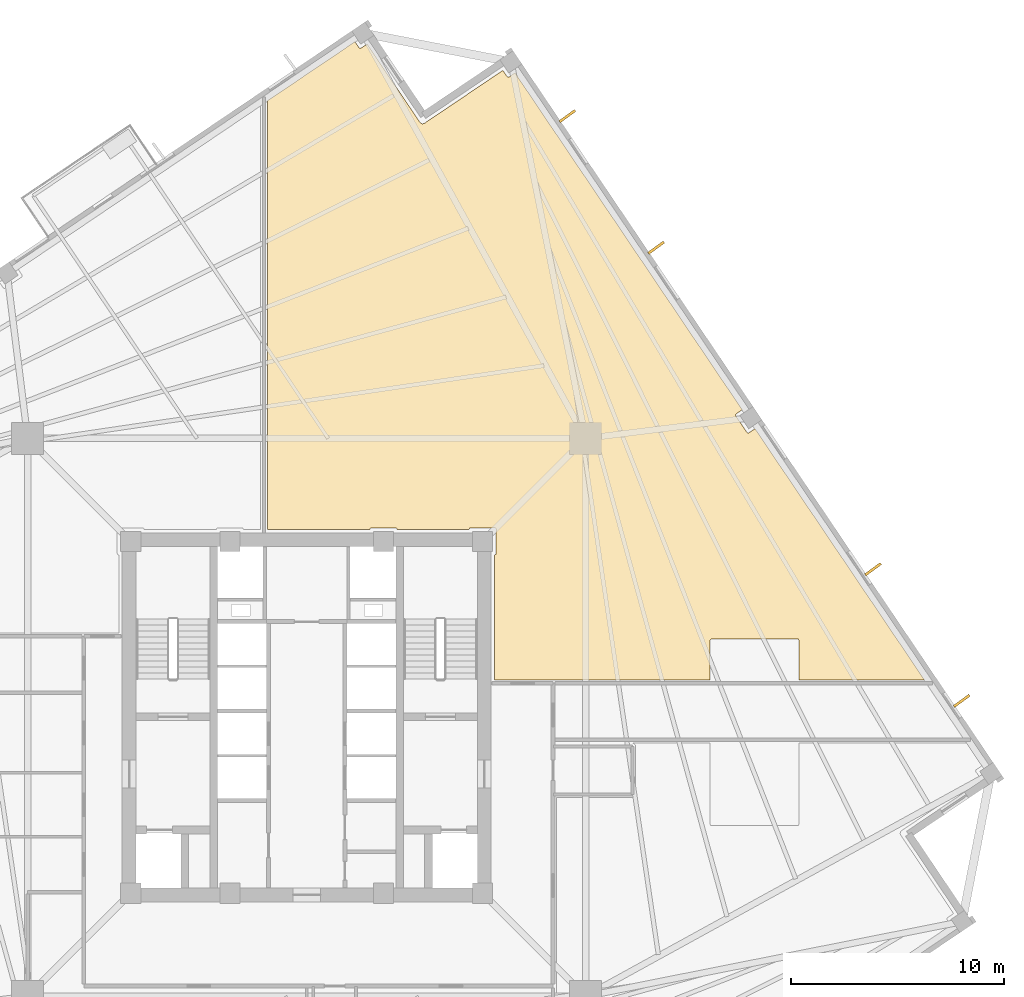
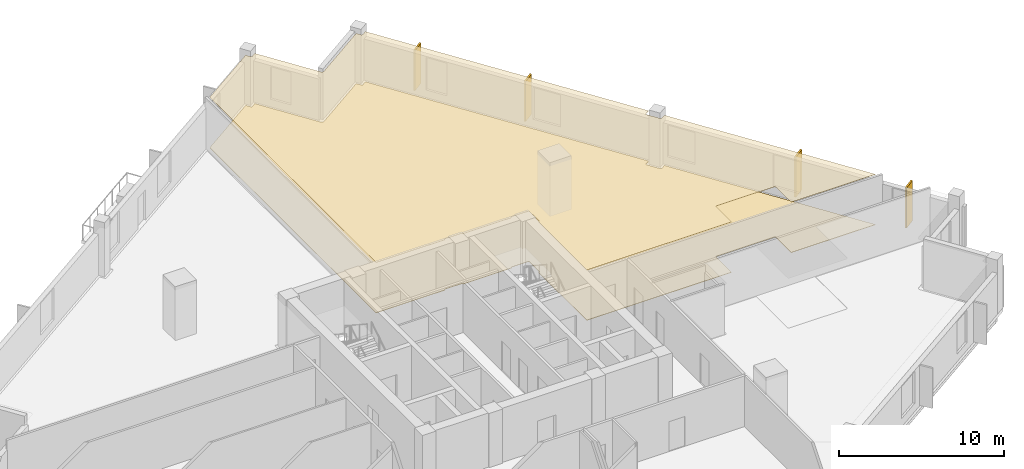
# One storey, part 8 of 8: 6 coverings.
"""IFC4 building model written with IfcOpenShell, lengths in metres."""

from ifc_helpers import new_model, si_unit, direction, frame, origin, origin_2d, place, context, subcontext, project, spatial, polyline, rectangle, outline, extrude, source, transform, mapped, material, layer, layer_set, type_object, element, save


model = new_model("IFC4")

# Units and contexts
model_context = context("Model", 3, precision=1e-05, world=origin(), true_north=direction((0.0, 1.0)))
body_context = subcontext(model_context, "Body", "Model", "MODEL_VIEW")
ifc_project = project(units=[si_unit("LENGTHUNIT", "METRE"), si_unit("AREAUNIT", "SQUARE_METRE"), si_unit("VOLUMEUNIT", "CUBIC_METRE"), si_unit("PLANEANGLEUNIT", "RADIAN"), si_unit("MASSUNIT", "GRAM", prefix="KILO"), si_unit("THERMODYNAMICTEMPERATUREUNIT", "KELVIN")], contexts=[model_context])

# Site, building, storey
site_placement = place(None, origin())
site = spatial("IfcSite", under=ifc_project, at=site_placement, CompositionType="ELEMENT")
building_placement = place(site_placement, origin())
building = spatial("IfcBuilding", under=site, at=building_placement, Name="Kosmvard Interchange Tower", CompositionType="ELEMENT")
storey_placement = place(building_placement, frame((0.0, 0.0, 188.39990234375)))
storey = spatial("IfcBuildingStorey", under=building, at=storey_placement, Name="L45", CompositionType="ELEMENT", Elevation=188.39990234375)

# Coverings
ifc_material_1 = material(Name="Acoustic gypsum ceiling tile")
ifc_layer_1 = layer(ifc_material_1, 0.02490234375, Name="Acoustic gypsum ceiling tile")
ifc_layer_set_1 = layer_set([ifc_layer_1], Name="Acoustic gypsum ceiling tile")
covering_type_1 = type_object("IfcCoveringType", Name="Acoustic Perforated Suspended Ceiling 25", PredefinedType="CEILING", material=ifc_layer_set_1)
covering_1_placement = place(storey_placement, frame((0.0, 0.0, 3.715087890625)))
element("IfcCovering", 1, at=covering_1_placement, inside=storey, type_object=covering_type_1, Name="L45 Acoustic Ceiling L45-OPNE", PredefinedType="CEILING", context=body_context, shape_type="SweptSolid", body=[
    extrude(outline(polyline([(5.39208984375, 27.83935546875), (5.385009765625, 27.841796875), (5.377685546875, 27.844970703125), (5.37109375, 27.847900390625), (5.3642578125, 27.8515625), (5.35791015625, 27.85546875), (5.351318359375, 27.859619140625), (5.345458984375, 27.864013671875), (5.33935546875, 27.869140625), (5.333740234375, 27.8740234375), (5.328369140625, 27.87939453125), (5.3232421875, 27.884765625), (5.318115234375, 27.890869140625), (5.313720703125, 27.89697265625), (5.3115234375, 27.900146484375), (2.834228515625, 31.57275390625), (2.556640625, 31.38525390625), (2.5498046875, 31.38134765625), (2.542724609375, 31.3779296875), (2.535400390625, 31.375244140625), (2.52783203125, 31.373291015625), (2.52001953125, 31.3720703125), (2.51220703125, 31.37158203125), (2.50439453125, 31.3720703125), (2.49658203125, 31.373046875), (2.489013671875, 31.375), (2.481689453125, 31.377685546875), (2.474365234375, 31.380859375), (2.4677734375, 31.385009765625), (2.46142578125, 31.3896484375), (2.45556640625, 31.394775390625), (2.4501953125, 31.400634765625), (2.445556640625, 31.406982421875), (2.25830078125, 31.6845703125), (-1.840087890625, 28.92041015625), (-1.840087890625, 8.804931640625), (2.965087890625, 8.804931640625), (2.96533203125, 8.812744140625), (2.966552734375, 8.820556640625), (2.968505859375, 8.828125), (2.97119140625, 8.835693359375), (2.974365234375, 8.8427734375), (2.978515625, 8.849365234375), (2.983154296875, 8.855712890625), (2.988525390625, 8.861572265625), (2.994140625, 8.866943359375), (3.00048828125, 8.87158203125), (3.00732421875, 8.87548828125), (3.014404296875, 8.87890625), (3.021728515625, 8.881591796875), (3.029296875, 8.883544921875), (3.037109375, 8.884521484375), (3.044921875, 8.885009765625), (4.155029296875, 8.885009765625), (4.162841796875, 8.884521484375), (4.170654296875, 8.883544921875), (4.17822265625, 8.881591796875), (4.185546875, 8.87890625), (4.192626953125, 8.87548828125), (4.199462890625, 8.87158203125), (4.205810546875, 8.866943359375), (4.211669921875, 8.861572265625), (4.216796875, 8.855712890625), (4.221435546875, 8.849365234375), (4.2255859375, 8.8427734375), (4.22900390625, 8.835693359375), (4.2314453125, 8.828125), (4.2333984375, 8.820556640625), (4.234619140625, 8.812744140625), (4.235107421875, 8.804931640625), (7.614990234375, 8.804931640625), (7.615478515625, 8.812744140625), (7.616455078125, 8.820556640625), (7.618408203125, 8.828125), (7.62109375, 8.835693359375), (7.62451171875, 8.8427734375), (7.62841796875, 8.849365234375), (7.633056640625, 8.855712890625), (7.638427734375, 8.861572265625), (7.644287109375, 8.866943359375), (7.650634765625, 8.87158203125), (7.6572265625, 8.87548828125), (7.664306640625, 8.87890625), (7.671875, 8.881591796875), (7.679443359375, 8.883544921875), (7.687255859375, 8.884521484375), (7.695068359375, 8.885009765625), (8.804931640625, 8.885009765625), (8.812744140625, 8.884521484375), (8.820556640625, 8.883544921875), (8.828125, 8.881591796875), (8.835693359375, 8.87890625), (8.8427734375, 8.87548828125), (8.849365234375, 8.87158203125), (8.855712890625, 8.866943359375), (8.861572265625, 8.861572265625), (8.866943359375, 8.855712890625), (8.87158203125, 8.849365234375), (8.87548828125, 8.8427734375), (8.87890625, 8.835693359375), (8.881591796875, 8.828125), (8.883544921875, 8.820556640625), (8.884521484375, 8.812744140625), (8.885009765625, 8.804931640625), (8.885009765625, 7.695068359375), (8.884521484375, 7.687255859375), (8.883544921875, 7.679443359375), (8.881591796875, 7.671875), (8.87890625, 7.664306640625), (8.87548828125, 7.6572265625), (8.87158203125, 7.650634765625), (8.866943359375, 7.644287109375), (8.861572265625, 7.638427734375), (8.855712890625, 7.633056640625), (8.849365234375, 7.62841796875), (8.8427734375, 7.62451171875), (8.835693359375, 7.62109375), (8.828125, 7.618408203125), (8.820556640625, 7.616455078125), (8.812744140625, 7.615478515625), (8.804931640625, 7.614990234375), (8.804931640625, 1.7548828125), (11.161376953125, 1.7548828125), (11.166015625, 1.756103515625), (11.173583984375, 1.757568359375), (11.180908203125, 1.7587890625), (11.188720703125, 1.759521484375), (11.196044921875, 1.760009765625), (11.199951171875, 1.760009765625), (18.919921875, 1.760009765625), (18.919921875, 3.60009765625), (18.92041015625, 3.60791015625), (18.921630859375, 3.61572265625), (18.92333984375, 3.623291015625), (18.926025390625, 3.630615234375), (18.929443359375, 3.6376953125), (18.93359375, 3.64453125), (18.938232421875, 3.650634765625), (18.943359375, 3.656494140625), (18.94921875, 3.661865234375), (18.95556640625, 3.66650390625), (18.96240234375, 3.670654296875), (18.969482421875, 3.673828125), (18.976806640625, 3.676513671875), (18.984375, 3.678466796875), (18.9921875, 3.6796875), (19.0, 3.679931640625), (23.0, 3.679931640625), (23.0078125, 3.6796875), (23.015625, 3.678466796875), (23.023193359375, 3.676513671875), (23.030517578125, 3.673828125), (23.03759765625, 3.670654296875), (23.04443359375, 3.66650390625), (23.05078125, 3.661865234375), (23.056640625, 3.656494140625), (23.061767578125, 3.650634765625), (23.06640625, 3.64453125), (23.070556640625, 3.6376953125), (23.073974609375, 3.630615234375), (23.07666015625, 3.623291015625), (23.078369140625, 3.61572265625), (23.07958984375, 3.60791015625), (23.080078125, 3.60009765625), (23.080078125, 1.760009765625), (28.974365234375, 1.760009765625), (21.029296875, 13.5390625), (20.75146484375, 13.351806640625), (20.744873046875, 13.34765625), (20.73779296875, 13.34423828125), (20.73046875, 13.341552734375), (20.72265625, 13.339599609375), (20.715087890625, 13.33837890625), (20.70703125, 13.338134765625), (20.69921875, 13.33837890625), (20.69140625, 13.339599609375), (20.683837890625, 13.34130859375), (20.676513671875, 13.343994140625), (20.66943359375, 13.347412109375), (20.66259765625, 13.351318359375), (20.65625, 13.35595703125), (20.650390625, 13.361328125), (20.645263671875, 13.366943359375), (20.640380859375, 13.373291015625), (20.131591796875, 14.127685546875), (20.12744140625, 14.134521484375), (20.124267578125, 14.1416015625), (20.12158203125, 14.14892578125), (20.11962890625, 14.156494140625), (20.118408203125, 14.164306640625), (20.117919921875, 14.172119140625), (20.1181640625, 14.179931640625), (20.119384765625, 14.187744140625), (20.121337890625, 14.1953125), (20.123779296875, 14.202880859375), (20.127197265625, 14.2099609375), (20.131103515625, 14.216552734375), (20.1357421875, 14.222900390625), (20.14111328125, 14.228759765625), (20.14697265625, 14.234130859375), (20.153076171875, 14.23876953125), (20.430908203125, 14.42626953125), (9.775390625, 30.223388671875), (9.497802734375, 30.0361328125), (9.490966796875, 30.031982421875), (9.48388671875, 30.028564453125), (9.4765625, 30.02587890625), (9.468994140625, 30.024169921875), (9.461181640625, 30.02294921875), (9.453369140625, 30.0224609375), (9.445556640625, 30.022705078125), (9.437744140625, 30.02392578125), (9.43017578125, 30.02587890625), (9.4228515625, 30.0283203125), (9.41552734375, 30.03173828125), (9.408935546875, 30.03564453125), (9.402587890625, 30.040283203125), (9.396728515625, 30.045654296875), (9.391357421875, 30.051513671875), (9.38671875, 30.0576171875), (9.199462890625, 30.33544921875), (5.52685546875, 27.858154296875), (5.5234375, 27.856201171875), (5.51708984375, 27.852294921875), (5.51025390625, 27.8486328125), (5.503662109375, 27.845458984375), (5.496337890625, 27.84228515625), (5.489501953125, 27.83984375), (5.48193359375, 27.837646484375), (5.474853515625, 27.835693359375), (5.467041015625, 27.834228515625), (5.459716796875, 27.8330078125), (5.451904296875, 27.832275390625), (5.444580078125, 27.831787109375), (5.436767578125, 27.831787109375), (5.429443359375, 27.83203125), (5.421630859375, 27.832763671875), (5.41455078125, 27.833984375), (5.40673828125, 27.83544921875), (5.3994140625, 27.837158203125), (5.39208984375, 27.83935546875)])), origin(), (0.0, 0.0, 1.0), 0.02490234375),
])
ifc_material_2 = material(Name="Polished terrazzo flooring")
ifc_layer_2 = layer(ifc_material_2, 0.030029296875, Name="Polished terrazzo flooring")
ifc_layer_set_2 = layer_set([ifc_layer_2], Name="Polished terrazzo flooring")
covering_type_2 = type_object("IfcCoveringType", Name="Heavy-Duty Terrazzo & Porcelain Flooring 30", PredefinedType="FLOORING", material=ifc_layer_set_2)
covering_2_placement = place(storey_placement, origin())
element("IfcCovering", 2, at=covering_2_placement, inside=storey, type_object=covering_type_2, Name="L45 Floor Finish L45-OPNE", PredefinedType="FLOORING", context=body_context, shape_type="SweptSolid", body=[
    extrude(outline(polyline([(5.39208984375, 27.83935546875), (5.385009765625, 27.841796875), (5.377685546875, 27.844970703125), (5.37109375, 27.847900390625), (5.3642578125, 27.8515625), (5.35791015625, 27.85546875), (5.351318359375, 27.859619140625), (5.345458984375, 27.864013671875), (5.33935546875, 27.869140625), (5.333740234375, 27.8740234375), (5.328369140625, 27.87939453125), (5.3232421875, 27.884765625), (5.318115234375, 27.890869140625), (5.313720703125, 27.89697265625), (5.3115234375, 27.900146484375), (2.834228515625, 31.57275390625), (2.556640625, 31.38525390625), (2.5498046875, 31.38134765625), (2.542724609375, 31.3779296875), (2.535400390625, 31.375244140625), (2.52783203125, 31.373291015625), (2.52001953125, 31.3720703125), (2.51220703125, 31.37158203125), (2.50439453125, 31.3720703125), (2.49658203125, 31.373046875), (2.489013671875, 31.375), (2.481689453125, 31.377685546875), (2.474365234375, 31.380859375), (2.4677734375, 31.385009765625), (2.46142578125, 31.3896484375), (2.45556640625, 31.394775390625), (2.4501953125, 31.400634765625), (2.445556640625, 31.406982421875), (2.25830078125, 31.6845703125), (-1.840087890625, 28.92041015625), (-1.840087890625, 8.804931640625), (2.965087890625, 8.804931640625), (2.96533203125, 8.812744140625), (2.966552734375, 8.820556640625), (2.968505859375, 8.828125), (2.97119140625, 8.835693359375), (2.974365234375, 8.8427734375), (2.978515625, 8.849365234375), (2.983154296875, 8.855712890625), (2.988525390625, 8.861572265625), (2.994140625, 8.866943359375), (3.00048828125, 8.87158203125), (3.00732421875, 8.87548828125), (3.014404296875, 8.87890625), (3.021728515625, 8.881591796875), (3.029296875, 8.883544921875), (3.037109375, 8.884521484375), (3.044921875, 8.885009765625), (4.155029296875, 8.885009765625), (4.162841796875, 8.884521484375), (4.170654296875, 8.883544921875), (4.17822265625, 8.881591796875), (4.185546875, 8.87890625), (4.192626953125, 8.87548828125), (4.199462890625, 8.87158203125), (4.205810546875, 8.866943359375), (4.211669921875, 8.861572265625), (4.216796875, 8.855712890625), (4.221435546875, 8.849365234375), (4.2255859375, 8.8427734375), (4.22900390625, 8.835693359375), (4.2314453125, 8.828125), (4.2333984375, 8.820556640625), (4.234619140625, 8.812744140625), (4.235107421875, 8.804931640625), (7.614990234375, 8.804931640625), (7.615478515625, 8.812744140625), (7.616455078125, 8.820556640625), (7.618408203125, 8.828125), (7.62109375, 8.835693359375), (7.62451171875, 8.8427734375), (7.62841796875, 8.849365234375), (7.633056640625, 8.855712890625), (7.638427734375, 8.861572265625), (7.644287109375, 8.866943359375), (7.650634765625, 8.87158203125), (7.6572265625, 8.87548828125), (7.664306640625, 8.87890625), (7.671875, 8.881591796875), (7.679443359375, 8.883544921875), (7.687255859375, 8.884521484375), (7.695068359375, 8.885009765625), (8.804931640625, 8.885009765625), (8.812744140625, 8.884521484375), (8.820556640625, 8.883544921875), (8.828125, 8.881591796875), (8.835693359375, 8.87890625), (8.8427734375, 8.87548828125), (8.849365234375, 8.87158203125), (8.855712890625, 8.866943359375), (8.861572265625, 8.861572265625), (8.866943359375, 8.855712890625), (8.87158203125, 8.849365234375), (8.87548828125, 8.8427734375), (8.87890625, 8.835693359375), (8.881591796875, 8.828125), (8.883544921875, 8.820556640625), (8.884521484375, 8.812744140625), (8.885009765625, 8.804931640625), (8.885009765625, 7.695068359375), (8.884521484375, 7.687255859375), (8.883544921875, 7.679443359375), (8.881591796875, 7.671875), (8.87890625, 7.664306640625), (8.87548828125, 7.6572265625), (8.87158203125, 7.650634765625), (8.866943359375, 7.644287109375), (8.861572265625, 7.638427734375), (8.855712890625, 7.633056640625), (8.849365234375, 7.62841796875), (8.8427734375, 7.62451171875), (8.835693359375, 7.62109375), (8.828125, 7.618408203125), (8.820556640625, 7.616455078125), (8.812744140625, 7.615478515625), (8.804931640625, 7.614990234375), (8.804931640625, 1.7548828125), (11.161376953125, 1.7548828125), (11.166015625, 1.756103515625), (11.173583984375, 1.757568359375), (11.180908203125, 1.7587890625), (11.188720703125, 1.759521484375), (11.196044921875, 1.760009765625), (11.199951171875, 1.760009765625), (18.919921875, 1.760009765625), (18.919921875, 3.60009765625), (18.92041015625, 3.60791015625), (18.921630859375, 3.61572265625), (18.92333984375, 3.623291015625), (18.926025390625, 3.630615234375), (18.929443359375, 3.6376953125), (18.93359375, 3.64453125), (18.938232421875, 3.650634765625), (18.943359375, 3.656494140625), (18.94921875, 3.661865234375), (18.95556640625, 3.66650390625), (18.96240234375, 3.670654296875), (18.969482421875, 3.673828125), (18.976806640625, 3.676513671875), (18.984375, 3.678466796875), (18.9921875, 3.6796875), (19.0, 3.679931640625), (23.0, 3.679931640625), (23.0078125, 3.6796875), (23.015625, 3.678466796875), (23.023193359375, 3.676513671875), (23.030517578125, 3.673828125), (23.03759765625, 3.670654296875), (23.04443359375, 3.66650390625), (23.05078125, 3.661865234375), (23.056640625, 3.656494140625), (23.061767578125, 3.650634765625), (23.06640625, 3.64453125), (23.070556640625, 3.6376953125), (23.073974609375, 3.630615234375), (23.07666015625, 3.623291015625), (23.078369140625, 3.61572265625), (23.07958984375, 3.60791015625), (23.080078125, 3.60009765625), (23.080078125, 1.760009765625), (28.974365234375, 1.760009765625), (21.029296875, 13.5390625), (20.75146484375, 13.351806640625), (20.744873046875, 13.34765625), (20.73779296875, 13.34423828125), (20.73046875, 13.341552734375), (20.72265625, 13.339599609375), (20.715087890625, 13.33837890625), (20.70703125, 13.338134765625), (20.69921875, 13.33837890625), (20.69140625, 13.339599609375), (20.683837890625, 13.34130859375), (20.676513671875, 13.343994140625), (20.66943359375, 13.347412109375), (20.66259765625, 13.351318359375), (20.65625, 13.35595703125), (20.650390625, 13.361328125), (20.645263671875, 13.366943359375), (20.640380859375, 13.373291015625), (20.131591796875, 14.127685546875), (20.12744140625, 14.134521484375), (20.124267578125, 14.1416015625), (20.12158203125, 14.14892578125), (20.11962890625, 14.156494140625), (20.118408203125, 14.164306640625), (20.117919921875, 14.172119140625), (20.1181640625, 14.179931640625), (20.119384765625, 14.187744140625), (20.121337890625, 14.1953125), (20.123779296875, 14.202880859375), (20.127197265625, 14.2099609375), (20.131103515625, 14.216552734375), (20.1357421875, 14.222900390625), (20.14111328125, 14.228759765625), (20.14697265625, 14.234130859375), (20.153076171875, 14.23876953125), (20.430908203125, 14.42626953125), (9.775390625, 30.223388671875), (9.497802734375, 30.0361328125), (9.490966796875, 30.031982421875), (9.48388671875, 30.028564453125), (9.4765625, 30.02587890625), (9.468994140625, 30.024169921875), (9.461181640625, 30.02294921875), (9.453369140625, 30.0224609375), (9.445556640625, 30.022705078125), (9.437744140625, 30.02392578125), (9.43017578125, 30.02587890625), (9.4228515625, 30.0283203125), (9.41552734375, 30.03173828125), (9.408935546875, 30.03564453125), (9.402587890625, 30.040283203125), (9.396728515625, 30.045654296875), (9.391357421875, 30.051513671875), (9.38671875, 30.0576171875), (9.199462890625, 30.33544921875), (5.52685546875, 27.858154296875), (5.5234375, 27.856201171875), (5.51708984375, 27.852294921875), (5.51025390625, 27.8486328125), (5.503662109375, 27.845458984375), (5.496337890625, 27.84228515625), (5.489501953125, 27.83984375), (5.48193359375, 27.837646484375), (5.474853515625, 27.835693359375), (5.467041015625, 27.834228515625), (5.459716796875, 27.8330078125), (5.451904296875, 27.832275390625), (5.444580078125, 27.831787109375), (5.436767578125, 27.831787109375), (5.429443359375, 27.83203125), (5.421630859375, 27.832763671875), (5.41455078125, 27.833984375), (5.40673828125, 27.83544921875), (5.3994140625, 27.837158203125), (5.39208984375, 27.83935546875)])), origin(), (0.0, 0.0, 1.0), 0.030029296875),
])
ifc_material_3 = material(Name="Architectural anodised aluminium", Category="aluminium")
ifc_layer_3 = layer(ifc_material_3, 0.1201171875, Name="Architectural anodised aluminium")
ifc_layer_set_3 = layer_set([ifc_layer_3], Name="Architectural anodised aluminium")
covering_type_3 = type_object("IfcCoveringType", Name="Rotating Vertical Sun-Breaker Fin 900x120 Aluminium", PredefinedType="CLADDING", material=ifc_layer_set_3)
shared_shape = source(origin(), body_context, "Body", "SweptSolid", [
    extrude(rectangle(XDim=0.89990234375, YDim=0.1201171875, at=origin_2d()), origin(), (0.0, 0.0, 1.0), 2.9599609375),
])
for number, where, z_axis, x_axis, name in (
    (3, (30.718994140625, 0.774169921875, 0.0400390625), (0.0, 0.0, 1.0), (0.808709119852, 0.588208772008, 0.0), "L45 Rotating Vertical Sun-Breaker Fin 05"),
    (4, (26.557861328125, 6.943115234375, 0.0400390625), (0.0, 0.0, 1.0), (0.808709119852, 0.588208772008, 0.0), "L45 Rotating Vertical Sun-Breaker Fin 06"),
    (5, (16.38623046875, 22.02294921875, 0.0400390625), (0.0, 0.0, 1.0), (0.808709119852, 0.588208772008, 0.0), "L45 Rotating Vertical Sun-Breaker Fin 07"),
    (6, (12.225341796875, 28.192138671875, 0.0400390625), (0.0, 0.0, 1.0), (0.808709119852, 0.588208772008, 0.0), "L45 Rotating Vertical Sun-Breaker Fin 08"),
):
    element("IfcCovering", number, at=place(storey_placement, frame(where, z_axis=z_axis, x_axis=x_axis)), inside=storey, type_object=covering_type_3, Name=name, PredefinedType="CLADDING", context=body_context, shape_type="MappedRepresentation", body=[
        mapped(shared_shape, transform((0.0, 0.0, 0.0), scale=1.0)),
    ])

save(model, "model.ifc")
